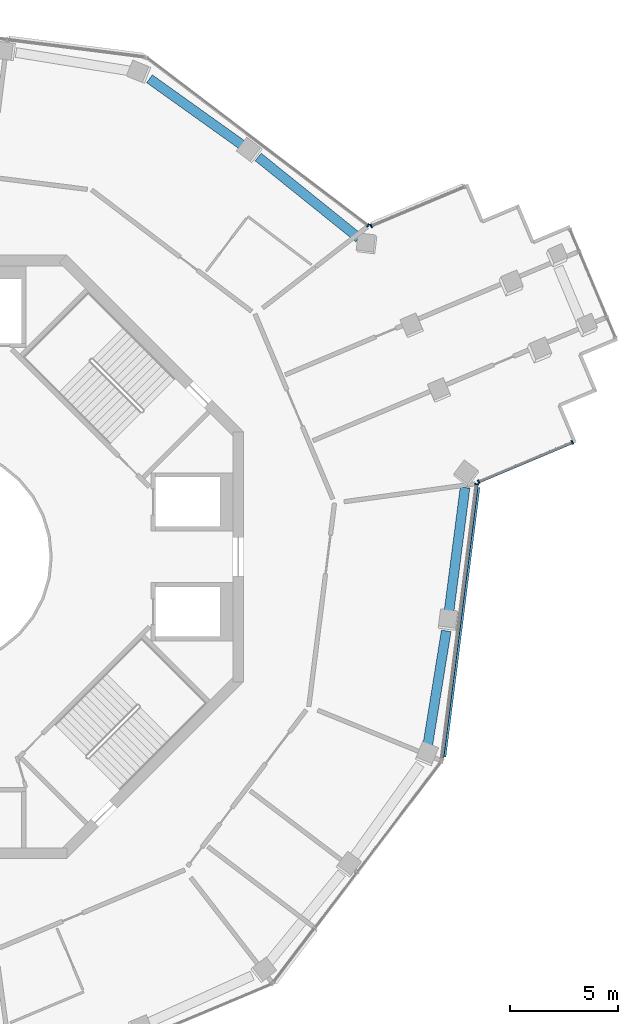
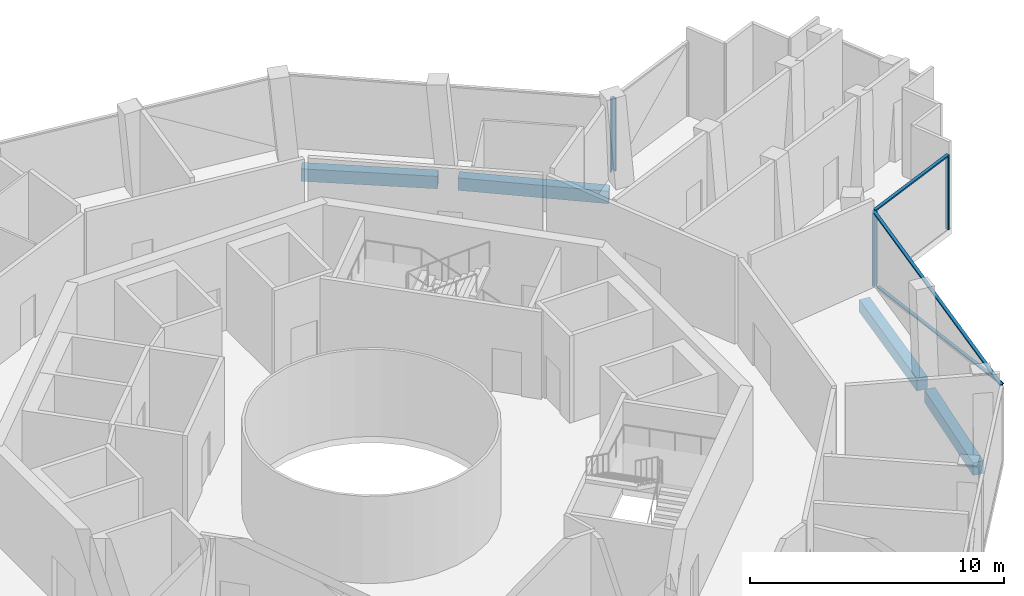
# One storey, part 7 of 18: 8 members, 4 beams, 4 elements without a shape of their own.
"""IFC4 building model written with IfcOpenShell, lengths in metres."""

from ifc_helpers import new_model, si_unit, direction, frame, origin, origin_2d, place, context, subcontext, project, spatial, rectangle, extrude, material, layer, layer_set, material_profile, profile_set, type_object, element, aggregate, save


model = new_model("IFC4")

# Units and contexts
model_context = context("Model", 3, precision=1e-05, world=origin(), true_north=direction((0.0, 1.0)))
body_context = subcontext(model_context, "Body", "Model", "MODEL_VIEW")
ifc_project = project(units=[si_unit("LENGTHUNIT", "METRE"), si_unit("AREAUNIT", "SQUARE_METRE"), si_unit("VOLUMEUNIT", "CUBIC_METRE"), si_unit("PLANEANGLEUNIT", "RADIAN"), si_unit("MASSUNIT", "GRAM", prefix="KILO")], contexts=[model_context])

# Site, building, storey
site_placement = place(None, origin())
site = spatial("IfcSite", under=ifc_project, at=site_placement, CompositionType="ELEMENT")
building_placement = place(site_placement, origin())
building = spatial("IfcBuilding", under=site, at=building_placement, Name="Verdalira Terraces Hotel", CompositionType="ELEMENT")
storey_placement = place(building_placement, frame((0.0, 0.0, 248.0)))
storey = spatial("IfcBuildingStorey", under=building, at=storey_placement, Name="L61", CompositionType="ELEMENT", Elevation=248.0)

# Curtain wall, member
ifc_material_1 = material(Name="Clear glass", Category="glass")
ifc_layer = layer(ifc_material_1, 0.179931640625)
ifc_layer_set = layer_set([ifc_layer], Name="CW4 curtain wall")
curtain_wall_type = type_object("IfcCurtainWallType", Name="CW4 curtain wall", PredefinedType="NOTDEFINED", material=ifc_layer_set)
curtain_wall_1_placement = place(storey_placement, origin())
curtain_wall_1 = element("IfcCurtainWall", 1, at=curtain_wall_1_placement, inside=storey, type_object=curtain_wall_type, Name="CW4 curtain wall L61 edge 27", PredefinedType="NOTDEFINED")
ifc_material_2 = material(Name="Terracotta frame", Category="masonry")
ifc_material_profile_1 = material_profile(ifc_material_2, rectangle(XDim=0.064941, YDim=0.179932, at=origin_2d()), Name="MU 65x180")
ifc_profile_set_1 = profile_set([ifc_material_profile_1], Name="Terracotta frame")
member_type_1 = type_object("IfcMemberType", Name="CW4 mullion 65x180", PredefinedType="MULLION", material=ifc_profile_set_1)
member_1_placement = place(storey_placement, frame((24.815918, 3.366455, 0.0), z_axis=(0.0, 0.0, 1.0), x_axis=(0.125333234, 0.992114701, 0.0)))
member_1 = element("IfcMember", 2, at=member_1_placement, type_object=member_type_1, Name="CW4 mullion", PredefinedType="MULLION", context=body_context, shape_type="SweptSolid", body=[
    extrude(rectangle(XDim=0.064941, YDim=0.179932, at=origin_2d()), origin(), (0.0, 0.0, 1.0), 3.52002),
])

# Curtain wall, members
curtain_wall_2_placement = place(storey_placement, origin())
curtain_wall_2 = element("IfcCurtainWall", 3, at=curtain_wall_2_placement, inside=storey, type_object=curtain_wall_type, Name="CW4 curtain wall L61 edge 28", PredefinedType="NOTDEFINED")
member_2_placement = place(storey_placement, frame((24.904297, 3.48291, 0.0), z_axis=(0.0, 0.0, 1.0), x_axis=(0.921863152, 0.387515586, 0.0)))
member_2 = element("IfcMember", 4, at=member_2_placement, type_object=member_type_1, Name="CW4 mullion", PredefinedType="MULLION", context=body_context, shape_type="SweptSolid", body=[
    extrude(rectangle(XDim=0.064941, YDim=0.179932, at=origin_2d()), origin(), (0.0, 0.0, 1.0), 3.52002),
])
member_3_placement = place(storey_placement, frame((29.250732, 5.310059, 0.0), z_axis=(0.0, 0.0, 1.0), x_axis=(0.921863152, 0.387515586, 0.0)))
member_3 = element("IfcMember", 5, at=member_3_placement, type_object=member_type_1, Name="CW4 mullion", PredefinedType="MULLION", context=body_context, shape_type="SweptSolid", body=[
    extrude(rectangle(XDim=0.064941, YDim=0.179932, at=origin_2d()), origin(), (0.0, 0.0, 1.0), 3.52002),
])

# Curtain wall, member
curtain_wall_3_placement = place(storey_placement, origin())
curtain_wall_3 = element("IfcCurtainWall", 6, at=curtain_wall_3_placement, inside=storey, type_object=curtain_wall_type, Name="CW4 curtain wall L61 edge 38", PredefinedType="NOTDEFINED")
member_4_placement = place(storey_placement, frame((19.913086, 15.356689, 0.0), z_axis=(0.0, 0.0, 1.0), x_axis=(-0.921863152, -0.387515586, 0.0)))
member_4 = element("IfcMember", 7, at=member_4_placement, type_object=member_type_1, Name="CW4 mullion", PredefinedType="MULLION", context=body_context, shape_type="SweptSolid", body=[
    extrude(rectangle(XDim=0.064941, YDim=0.179932, at=origin_2d()), origin(), (0.0, 0.0, 1.0), 3.52002),
])
aggregate(curtain_wall_3, [member_4])

curtain_wall_4_placement = place(storey_placement, origin())
curtain_wall_4 = element("IfcCurtainWall", 8, at=curtain_wall_4_placement, inside=storey, type_object=curtain_wall_type, Name="CW4 curtain wall L61 edge 39", PredefinedType="NOTDEFINED")
member_5_placement = place(storey_placement, frame((19.768066, 15.375, 0.0), z_axis=(0.0, 0.0, 1.0), x_axis=(-0.796529918, 0.604599115, 0.0)))
member_5 = element("IfcMember", 9, at=member_5_placement, type_object=member_type_1, Name="CW4 mullion", PredefinedType="MULLION", context=body_context, shape_type="SweptSolid", body=[
    extrude(rectangle(XDim=0.064941, YDim=0.179932, at=origin_2d()), origin(), (0.0, 0.0, 1.0), 3.52002),
])
aggregate(curtain_wall_4, [member_5])

# Member
ifc_material_3 = material(Name="Terracotta frame", Category="masonry")
ifc_material_profile_2 = material_profile(ifc_material_3, rectangle(XDim=0.139893, YDim=0.070068, at=origin_2d()), Name="TR 70x140")
ifc_profile_set_2 = profile_set([ifc_material_profile_2], Name="Terracotta frame")
member_type_2 = type_object("IfcMemberType", Name="CW4 transom 70x140", PredefinedType="USERDEFINED", material=ifc_profile_set_2)
member_6_placement = place(storey_placement, frame((23.197998, -9.44165, 3.554932), z_axis=(0.125330127, 0.992115094, 0.0), x_axis=(-0.992115094, 0.125330127, 0.0)))
member_6 = element("IfcMember", 10, at=member_6_placement, type_object=member_type_2, Name="CW4 transom", ObjectType="TRANSOM", PredefinedType="USERDEFINED", context=body_context, shape_type="SweptSolid", body=[
    extrude(rectangle(XDim=0.139893, YDim=0.070068, at=origin_2d()), origin(), (0.0, 0.0, 1.0), 12.942383),
])

member_7_placement = place(storey_placement, frame((24.874512, 3.470459, 3.554932), z_axis=(0.921875571, 0.387486042, 0.0), x_axis=(-0.387486042, 0.921875571, 0.0)))
member_7 = element("IfcMember", 11, at=member_7_placement, type_object=member_type_2, Name="CW4 transom", ObjectType="TRANSOM", PredefinedType="USERDEFINED", context=body_context, shape_type="SweptSolid", body=[
    extrude(rectangle(XDim=0.139893, YDim=0.070068, at=origin_2d()), origin(), (0.0, 0.0, 1.0), 4.779541),
])

aggregate(curtain_wall_2, [member_2, member_3, member_7])

ifc_material_4 = material(Name="Terracotta frame", Category="masonry")
ifc_material_profile_3 = material_profile(ifc_material_4, rectangle(XDim=0.149902, YDim=0.060059, at=origin_2d()), Name="GB 60x150")
ifc_profile_set_3 = profile_set([ifc_material_profile_3], Name="Terracotta frame")
member_type_3 = type_object("IfcMemberType", Name="Diagonal glazing bar 60x150", PredefinedType="USERDEFINED", material=ifc_profile_set_3)
member_8_placement = place(storey_placement, frame((23.311768, -9.282471, 3.490479), z_axis=(0.120849867, 0.956670493, -0.264909187), x_axis=(-0.992115439, 0.125327393, 0.0)))
member_8 = element("IfcMember", 12, at=member_8_placement, type_object=member_type_3, Name="Diagonal glazing bar", ObjectType="GLAZING BAR", PredefinedType="USERDEFINED", context=body_context, shape_type="SweptSolid", body=[
    extrude(rectangle(XDim=0.149902, YDim=0.060059, at=origin_2d()), origin(), (0.0, 0.0, 1.0), 13.064697),
])

aggregate(curtain_wall_1, [member_1, member_6, member_8])

# Beams
ifc_material_5 = material(Name="Concrete C40", Category="concrete")
ifc_material_profile_4 = material_profile(ifc_material_5, rectangle(XDim=0.449951, YDim=0.600098, at=origin_2d()), Name="RC 450X600")
ifc_profile_set_4 = profile_set([ifc_material_profile_4], Name="Concrete C40")
beam_type = type_object("IfcBeamType", Name="Spandrel beam RC 450X600 C40", PredefinedType="SPANDREL", material=ifc_profile_set_4)
beam_1_placement = place(storey_placement, frame((22.535645, -8.763184, -0.610107), z_axis=(0.159687547, 0.987167608, 0.0), x_axis=(-0.987167608, 0.159687547, 0.0)))
element("IfcBeam", 13, at=beam_1_placement, inside=storey, type_object=beam_type, Name="Spandrel beam B15", PredefinedType="SPANDREL", context=body_context, shape_type="SweptSolid", body=[
    extrude(rectangle(XDim=0.449951, YDim=0.600098, at=origin_2d()), origin(), (0.0, 0.0, 1.0), 5.396973),
])
beam_2_placement = place(storey_placement, frame((23.514404, -2.631592, -0.610107), z_axis=(0.128230312, 0.991744416, 0.0), x_axis=(-0.991744416, 0.128230312, 0.0)))
element("IfcBeam", 14, at=beam_2_placement, inside=storey, type_object=beam_type, Name="Spandrel beam B16", PredefinedType="SPANDREL", context=body_context, shape_type="SweptSolid", body=[
    extrude(rectangle(XDim=0.449951, YDim=0.600098, at=origin_2d()), origin(), (0.0, 0.0, 1.0), 5.892578),
])
beam_3_placement = place(storey_placement, frame((19.346191, 14.784912, -0.610107), z_axis=(-0.778804157, 0.627267155, 0.0), x_axis=(-0.627267155, -0.778804157, 0.0)))
element("IfcBeam", 15, at=beam_3_placement, inside=storey, type_object=beam_type, Name="Spandrel beam B18", PredefinedType="SPANDREL", context=body_context, shape_type="SweptSolid", body=[
    extrude(rectangle(XDim=0.449951, YDim=0.600098, at=origin_2d()), origin(), (0.0, 0.0, 1.0), 5.999756),
])
beam_4_placement = place(storey_placement, frame((14.018555, 19.045166, -0.610107), z_axis=(-0.813657014, 0.581345219, 0.0), x_axis=(-0.581345219, -0.813657014, 0.0)))
element("IfcBeam", 16, at=beam_4_placement, inside=storey, type_object=beam_type, Name="Spandrel beam B19", PredefinedType="SPANDREL", context=body_context, shape_type="SweptSolid", body=[
    extrude(rectangle(XDim=0.449951, YDim=0.600098, at=origin_2d()), origin(), (0.0, 0.0, 1.0), 5.394287),
])

save(model, "model.ifc")
